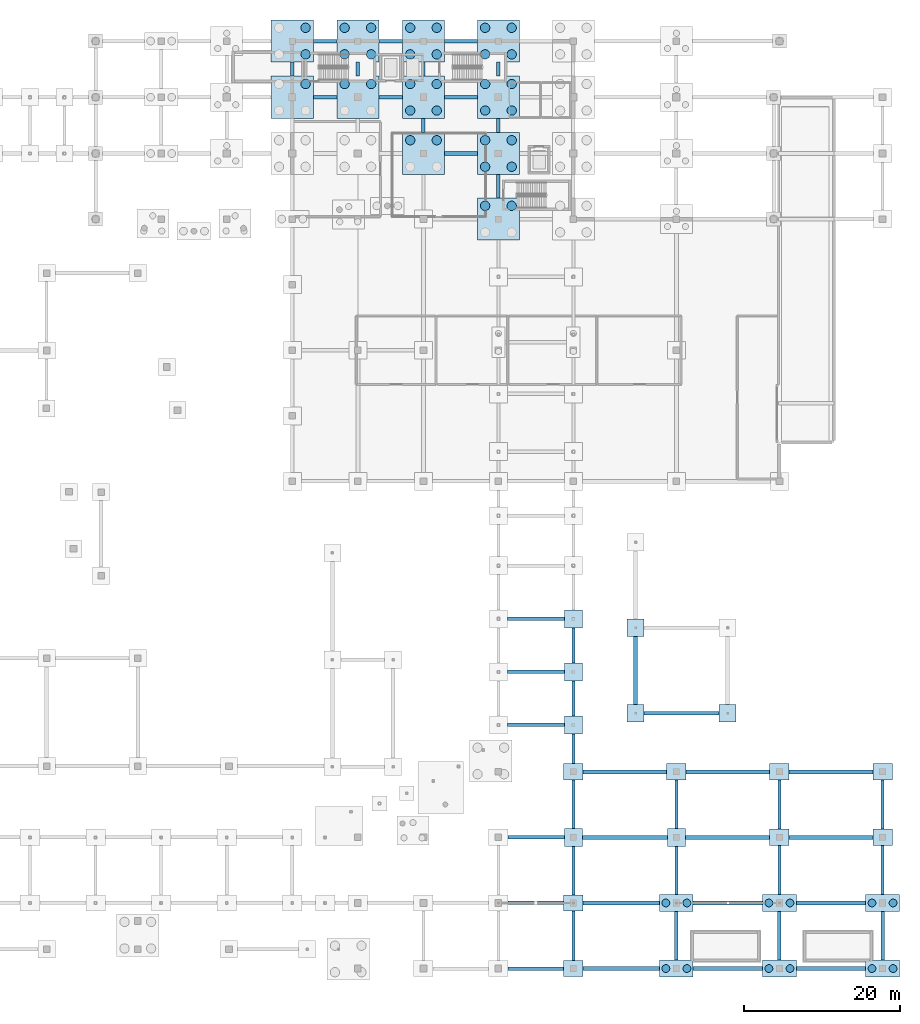
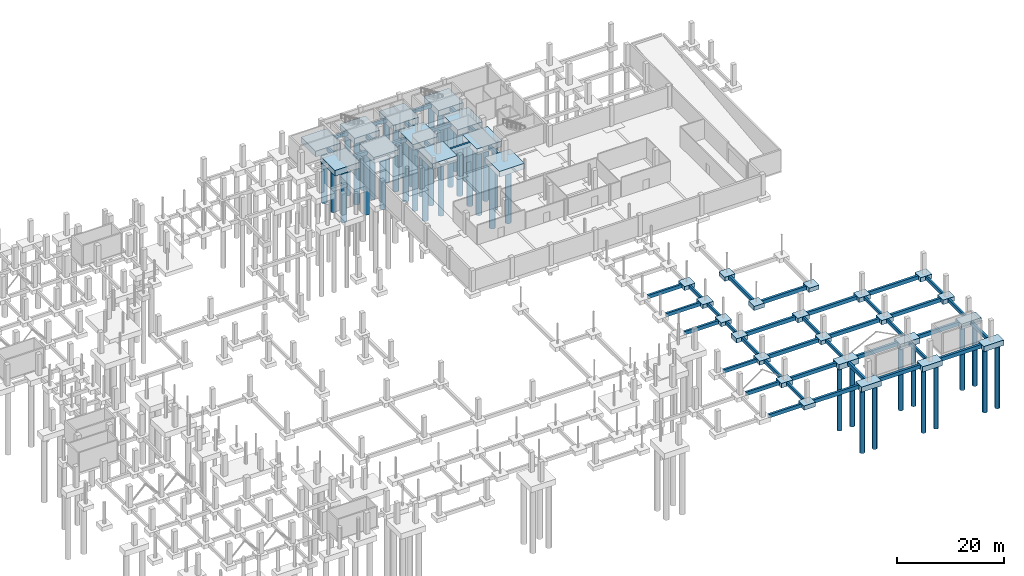
# One storey, part 6 of 44: 82 footings, 45 piles.
"""IFC4 building model written with IfcOpenShell, lengths in metres."""

from ifc_helpers import new_model, si_unit, direction, frame, origin, origin_2d, place, context, subcontext, project, spatial, rectangle, circle, extrude, material, material_profile, profile_set, type_object, element, save


model = new_model("IFC4")

# Units and contexts
model_context = context("Model", 3, precision=1e-05, world=origin(), true_north=direction((0.0, 1.0)))
body_context = subcontext(model_context, "Body", "Model", "MODEL_VIEW")
ifc_project = project(units=[si_unit("LENGTHUNIT", "METRE"), si_unit("AREAUNIT", "SQUARE_METRE"), si_unit("VOLUMEUNIT", "CUBIC_METRE"), si_unit("PLANEANGLEUNIT", "RADIAN"), si_unit("MASSUNIT", "GRAM", prefix="KILO")], contexts=[model_context])

# Site, building, storey
site_placement = place(None, origin())
site = spatial("IfcSite", under=ifc_project, at=site_placement, CompositionType="ELEMENT")
building_placement = place(site_placement, origin())
building = spatial("IfcBuilding", under=site, at=building_placement, Name="Kisaragi Civic Commons", CompositionType="ELEMENT")
storey_placement = place(building_placement, frame((0.0, 0.0, -4.800048828125)))
storey = spatial("IfcBuildingStorey", under=building, at=storey_placement, Name="B1", CompositionType="ELEMENT", Elevation=-4.800048828125)

# Footings
ifc_material_1 = material(Name="Concrete Fc27", Category="concrete")
ifc_material_profile_1 = material_profile(ifc_material_1, rectangle(XDim=0.5, YDim=0.85009765625, at=origin_2d()), Name="RC-500x850", Category="concrete")
ifc_profile_set_1 = profile_set([ifc_material_profile_1], Name="Concrete Fc27")
footing_type_1 = type_object("IfcFootingType", Name="FB-01", PredefinedType="FOOTING_BEAM", material=ifc_profile_set_1)
footing_1_placement = place(storey_placement, frame((134.449951171875, 0.0, -0.425048828125), z_axis=(1.0, 0.0, 0.0), x_axis=(0.0, 1.0, 0.0)))
element("IfcFooting", 1, at=footing_1_placement, inside=storey, type_object=footing_type_1, Name="Foundation tie beam FB-01 X3", PredefinedType="FOOTING_BEAM", context=body_context, shape_type="SweptSolid", body=[
    extrude(rectangle(XDim=0.5, YDim=0.85009765625, at=origin_2d()), origin(), (0.0, 0.0, 1.0), 9.800048828125),
])
for number, where, z_axis, x_axis, name in (
    (2, (148.550048828125, 0.0, -0.425048828125), (1.0, 0.0, 0.0), (0.0, 1.0, 0.0), "Foundation tie beam FB-01 X4"),
    (3, (161.75, 0.0, -0.425048828125), (1.0, 0.0, 0.0), (0.0, 1.0, 0.0), "Foundation tie beam FB-01 X5"),
):
    element("IfcFooting", number, at=place(storey_placement, frame(where, z_axis=z_axis, x_axis=x_axis)), inside=storey, type_object=footing_type_1, Name=name, PredefinedType="FOOTING_BEAM", context=body_context, shape_type="SweptSolid", body=[
        extrude(rectangle(XDim=0.5, YDim=0.85009765625, at=origin_2d()), origin(), (0.0, 0.0, 1.0), 8.89990234375),
    ])
footing_2_placement = place(storey_placement, frame((134.449951171875, 8.39990234375, -0.425048828125), z_axis=(1.0, 0.0, 0.0), x_axis=(0.0, 1.0, 0.0)))
element("IfcFooting", 4, at=footing_2_placement, inside=storey, type_object=footing_type_1, Name="Foundation tie beam FB-01 X24", PredefinedType="FOOTING_BEAM", context=body_context, shape_type="SweptSolid", body=[
    extrude(rectangle(XDim=0.5, YDim=0.85009765625, at=origin_2d()), origin(), (0.0, 0.0, 1.0), 9.800048828125),
])
for number, where, z_axis, x_axis, name in (
    (5, (148.550048828125, 8.39990234375, -0.425048828125), (1.0, 0.0, 0.0), (0.0, 1.0, 0.0), "Foundation tie beam FB-01 X25"),
    (6, (161.75, 8.39990234375, -0.425048828125), (1.0, 0.0, 0.0), (0.0, 1.0, 0.0), "Foundation tie beam FB-01 X26"),
):
    element("IfcFooting", number, at=place(storey_placement, frame(where, z_axis=z_axis, x_axis=x_axis)), inside=storey, type_object=footing_type_1, Name=name, PredefinedType="FOOTING_BEAM", context=body_context, shape_type="SweptSolid", body=[
        extrude(rectangle(XDim=0.5, YDim=0.85009765625, at=origin_2d()), origin(), (0.0, 0.0, 1.0), 8.89990234375),
    ])
footing_3_placement = place(storey_placement, frame((134.35009765625, 16.800048828125, -0.425048828125), z_axis=(1.0, 0.0, 0.0), x_axis=(0.0, 1.0, 0.0)))
element("IfcFooting", 7, at=footing_3_placement, inside=storey, type_object=footing_type_1, Name="Foundation tie beam FB-01 X38", PredefinedType="FOOTING_BEAM", context=body_context, shape_type="SweptSolid", body=[
    extrude(rectangle(XDim=0.5, YDim=0.85009765625, at=origin_2d()), origin(), (0.0, 0.0, 1.0), 10.89990234375),
])
footing_4_placement = place(storey_placement, frame((147.550048828125, 16.800048828125, -0.425048828125), z_axis=(1.0, 0.0, 0.0), x_axis=(0.0, 1.0, 0.0)))
element("IfcFooting", 8, at=footing_4_placement, inside=storey, type_object=footing_type_1, Name="Foundation tie beam FB-01 X39", PredefinedType="FOOTING_BEAM", context=body_context, shape_type="SweptSolid", body=[
    extrude(rectangle(XDim=0.5, YDim=0.85009765625, at=origin_2d()), origin(), (0.0, 0.0, 1.0), 10.800048828125),
])
for number, where, z_axis, x_axis, name in (
    (9, (160.85009765625, 16.800048828125, -0.425048828125), (1.0, 0.0, 0.0), (0.0, 1.0, 0.0), "Foundation tie beam FB-01 X40"),
    (10, (134.449951171875, 25.199951171875, -0.425048828125), (1.0, 0.0, 0.0), (0.0, 1.0, 0.0), "Foundation tie beam FB-01 X45"),
):
    element("IfcFooting", number, at=place(storey_placement, frame(where, z_axis=z_axis, x_axis=x_axis)), inside=storey, type_object=footing_type_1, Name=name, PredefinedType="FOOTING_BEAM", context=body_context, shape_type="SweptSolid", body=[
        extrude(rectangle(XDim=0.5, YDim=0.85009765625, at=origin_2d()), origin(), (0.0, 0.0, 1.0), 10.699951171875),
    ])
footing_5_placement = place(storey_placement, frame((147.64990234375, 25.199951171875, -0.425048828125), z_axis=(1.0, 0.0, 0.0), x_axis=(0.0, 1.0, 0.0)))
element("IfcFooting", 11, at=footing_5_placement, inside=storey, type_object=footing_type_1, Name="Foundation tie beam FB-01 X46", PredefinedType="FOOTING_BEAM", context=body_context, shape_type="SweptSolid", body=[
    extrude(rectangle(XDim=0.5, YDim=0.85009765625, at=origin_2d()), origin(), (0.0, 0.0, 1.0), 10.7001953125),
])
footing_6_placement = place(storey_placement, frame((160.85009765625, 25.199951171875, -0.425048828125), z_axis=(1.0, 0.0, 0.0), x_axis=(0.0, 1.0, 0.0)))
element("IfcFooting", 12, at=footing_6_placement, inside=storey, type_object=footing_type_1, Name="Foundation tie beam FB-01 X47", PredefinedType="FOOTING_BEAM", context=body_context, shape_type="SweptSolid", body=[
    extrude(rectangle(XDim=0.5, YDim=0.85009765625, at=origin_2d()), origin(), (0.0, 0.0, 1.0), 10.699951171875),
])
footing_7_placement = place(storey_placement, frame((142.27392578125, 32.7060546875, -0.425048828125), z_axis=(1.0, 0.0, 0.0), x_axis=(0.0, 1.0, 0.0)))
element("IfcFooting", 13, at=footing_7_placement, inside=storey, type_object=footing_type_1, Name="Foundation tie beam FB-01 X54", PredefinedType="FOOTING_BEAM", context=body_context, shape_type="SweptSolid", body=[
    extrude(rectangle(XDim=0.5, YDim=0.85009765625, at=origin_2d()), origin(), (0.0, 0.0, 1.0), 9.576171875),
])
footing_8_placement = place(storey_placement, frame((141.174072265625, 33.805908203125, -0.425048828125), z_axis=(0.0, 1.0, 0.0), x_axis=(-1.0, 0.0, 0.0)))
element("IfcFooting", 14, at=footing_8_placement, inside=storey, type_object=footing_type_1, Name="Foundation tie beam FB-01 Y285", PredefinedType="FOOTING_BEAM", context=body_context, shape_type="SweptSolid", body=[
    extrude(rectangle(XDim=0.5, YDim=0.85009765625, at=origin_2d()), origin(), (0.0, 0.0, 1.0), 8.744140625),
])
ifc_material_profile_2 = material_profile(ifc_material_1, rectangle(XDim=0.449951171875, YDim=0.800048828125, at=origin_2d()), Name="RC-450x800", Category="concrete")
ifc_profile_set_2 = profile_set([ifc_material_profile_2], Name="Concrete Fc27")
footing_type_2 = type_object("IfcFootingType", Name="FB-02", PredefinedType="FOOTING_BEAM", material=ifc_profile_set_2)
for number, where, z_axis, x_axis, name in (
    (15, (124.85009765625, 0.0, -0.39990234375), (1.0, 0.0, 0.0), (0.0, 1.0, 0.0), "Foundation tie beam FB-02 X2"),
    (16, (124.85009765625, 8.39990234375, -0.39990234375), (1.0, 0.0, 0.0), (0.0, 1.0, 0.0), "Foundation tie beam FB-02 X23"),
):
    element("IfcFooting", number, at=place(storey_placement, frame(where, z_axis=z_axis, x_axis=x_axis)), inside=storey, type_object=footing_type_2, Name=name, PredefinedType="FOOTING_BEAM", context=body_context, shape_type="SweptSolid", body=[
        extrude(rectangle(XDim=0.449951171875, YDim=0.800048828125, at=origin_2d()), origin(), (0.0, 0.0, 1.0), 7.099853515625),
    ])
footing_9_placement = place(storey_placement, frame((124.85009765625, 16.800048828125, -0.39990234375), z_axis=(1.0, 0.0, 0.0), x_axis=(0.0, 1.0, 0.0)))
element("IfcFooting", 17, at=footing_9_placement, inside=storey, type_object=footing_type_2, Name="Foundation tie beam FB-02 X37", PredefinedType="FOOTING_BEAM", context=body_context, shape_type="SweptSolid", body=[
    extrude(rectangle(XDim=0.449951171875, YDim=0.800048828125, at=origin_2d()), origin(), (0.0, 0.0, 1.0), 7.199951171875),
])
for number, where, z_axis, x_axis, name in (
    (18, (124.75, 31.199951171875, -0.39990234375), (1.0, 0.0, 0.0), (0.0, 1.0, 0.0), "Foundation tie beam FB-02 X53"),
    (19, (124.75, 38.0, -0.39990234375), (1.0, 0.0, 0.0), (0.0, 1.0, 0.0), "Foundation tie beam FB-02 X57"),
    (20, (124.75, 44.800048828125, -0.39990234375), (1.0, 0.0, 0.0), (0.0, 1.0, 0.0), "Foundation tie beam FB-02 X65"),
):
    element("IfcFooting", number, at=place(storey_placement, frame(where, z_axis=z_axis, x_axis=x_axis)), inside=storey, type_object=footing_type_2, Name=name, PredefinedType="FOOTING_BEAM", context=body_context, shape_type="SweptSolid", body=[
        extrude(rectangle(XDim=0.449951171875, YDim=0.800048828125, at=origin_2d()), origin(), (0.0, 0.0, 1.0), 7.300048828125),
    ])
footing_10_placement = place(storey_placement, frame((116.699951171875, 104.39990234375, -0.39990234375), z_axis=(1.0, 0.0, 0.0), x_axis=(0.0, 1.0, 0.0)))
element("IfcFooting", 21, at=footing_10_placement, inside=storey, type_object=footing_type_2, Name="Foundation tie beam FB-02 X123", PredefinedType="FOOTING_BEAM", context=body_context, shape_type="SweptSolid", body=[
    extrude(rectangle(XDim=0.449951171875, YDim=0.800048828125, at=origin_2d()), origin(), (0.0, 0.0, 1.0), 4.199951171875),
])
for number, where, z_axis, x_axis, name in (
    (22, (99.89990234375, 111.60009765625, -0.39990234375), (1.0, 0.0, 0.0), (0.0, 1.0, 0.0), "Foundation tie beam FB-02 X138"),
    (23, (108.300048828125, 111.60009765625, -0.39990234375), (1.0, 0.0, 0.0), (0.0, 1.0, 0.0), "Foundation tie beam FB-02 X139"),
):
    element("IfcFooting", number, at=place(storey_placement, frame(where, z_axis=z_axis, x_axis=x_axis)), inside=storey, type_object=footing_type_2, Name=name, PredefinedType="FOOTING_BEAM", context=body_context, shape_type="SweptSolid", body=[
        extrude(rectangle(XDim=0.449951171875, YDim=0.800048828125, at=origin_2d()), origin(), (0.0, 0.0, 1.0), 3.0),
    ])
footing_11_placement = place(storey_placement, frame((116.699951171875, 111.60009765625, -0.39990234375), z_axis=(1.0, 0.0, 0.0), x_axis=(0.0, 1.0, 0.0)))
element("IfcFooting", 24, at=footing_11_placement, inside=storey, type_object=footing_type_2, Name="Foundation tie beam FB-02 X140", PredefinedType="FOOTING_BEAM", context=body_context, shape_type="SweptSolid", body=[
    extrude(rectangle(XDim=0.449951171875, YDim=0.800048828125, at=origin_2d()), origin(), (0.0, 0.0, 1.0), 4.199951171875),
])
for number, where, z_axis, x_axis, name in (
    (25, (99.89990234375, 118.800048828125, -0.39990234375), (1.0, 0.0, 0.0), (0.0, 1.0, 0.0), "Foundation tie beam FB-02 X149"),
    (26, (108.300048828125, 118.800048828125, -0.39990234375), (1.0, 0.0, 0.0), (0.0, 1.0, 0.0), "Foundation tie beam FB-02 X150"),
):
    element("IfcFooting", number, at=place(storey_placement, frame(where, z_axis=z_axis, x_axis=x_axis)), inside=storey, type_object=footing_type_2, Name=name, PredefinedType="FOOTING_BEAM", context=body_context, shape_type="SweptSolid", body=[
        extrude(rectangle(XDim=0.449951171875, YDim=0.800048828125, at=origin_2d()), origin(), (0.0, 0.0, 1.0), 3.0),
    ])
footing_12_placement = place(storey_placement, frame((116.699951171875, 118.800048828125, -0.39990234375), z_axis=(1.0, 0.0, 0.0), x_axis=(0.0, 1.0, 0.0)))
element("IfcFooting", 27, at=footing_12_placement, inside=storey, type_object=footing_type_2, Name="Foundation tie beam FB-02 X151", PredefinedType="FOOTING_BEAM", context=body_context, shape_type="SweptSolid", body=[
    extrude(rectangle(XDim=0.449951171875, YDim=0.800048828125, at=origin_2d()), origin(), (0.0, 0.0, 1.0), 4.199951171875),
])
for number, where, z_axis, x_axis, name in (
    (28, (97.199951171875, 114.300048828125, -0.39990234375), (0.0, 1.0, 0.0), (-1.0, 0.0, 0.0), "Foundation tie beam FB-02 Y240"),
    (29, (105.60009765625, 114.300048828125, -0.39990234375), (0.0, 1.0, 0.0), (-1.0, 0.0, 0.0), "Foundation tie beam FB-02 Y245"),
):
    element("IfcFooting", number, at=place(storey_placement, frame(where, z_axis=z_axis, x_axis=x_axis)), inside=storey, type_object=footing_type_2, Name=name, PredefinedType="FOOTING_BEAM", context=body_context, shape_type="SweptSolid", body=[
        extrude(rectangle(XDim=0.449951171875, YDim=0.800048828125, at=origin_2d()), origin(), (0.0, 0.0, 1.0), 1.800048828125),
    ])
footing_13_placement = place(storey_placement, frame((114.0, 107.10009765625, -0.39990234375), z_axis=(0.0, 1.0, 0.0), x_axis=(-1.0, 0.0, 0.0)))
element("IfcFooting", 30, at=footing_13_placement, inside=storey, type_object=footing_type_2, Name="Foundation tie beam FB-02 Y251", PredefinedType="FOOTING_BEAM", context=body_context, shape_type="SweptSolid", body=[
    extrude(rectangle(XDim=0.449951171875, YDim=0.800048828125, at=origin_2d()), origin(), (0.0, 0.0, 1.0), 1.7998046875),
])
footing_14_placement = place(storey_placement, frame((114.0, 114.300048828125, -0.39990234375), z_axis=(0.0, 1.0, 0.0), x_axis=(-1.0, 0.0, 0.0)))
element("IfcFooting", 31, at=footing_14_placement, inside=storey, type_object=footing_type_2, Name="Foundation tie beam FB-02 Y252", PredefinedType="FOOTING_BEAM", context=body_context, shape_type="SweptSolid", body=[
    extrude(rectangle(XDim=0.449951171875, YDim=0.800048828125, at=origin_2d()), origin(), (0.0, 0.0, 1.0), 1.800048828125),
])
footing_15_placement = place(storey_placement, frame((123.60009765625, 98.699951171875, -0.39990234375), z_axis=(0.0, 1.0, 0.0), x_axis=(-1.0, 0.0, 0.0)))
element("IfcFooting", 32, at=footing_15_placement, inside=storey, type_object=footing_type_2, Name="Foundation tie beam FB-02 Y265", PredefinedType="FOOTING_BEAM", context=body_context, shape_type="SweptSolid", body=[
    extrude(rectangle(XDim=0.449951171875, YDim=0.800048828125, at=origin_2d()), origin(), (0.0, 0.0, 1.0), 3.0),
])
footing_16_placement = place(storey_placement, frame((123.60009765625, 107.10009765625, -0.39990234375), z_axis=(0.0, 1.0, 0.0), x_axis=(-1.0, 0.0, 0.0)))
element("IfcFooting", 33, at=footing_16_placement, inside=storey, type_object=footing_type_2, Name="Foundation tie beam FB-02 Y266", PredefinedType="FOOTING_BEAM", context=body_context, shape_type="SweptSolid", body=[
    extrude(rectangle(XDim=0.449951171875, YDim=0.800048828125, at=origin_2d()), origin(), (0.0, 0.0, 1.0), 1.7998046875),
])
footing_17_placement = place(storey_placement, frame((123.60009765625, 114.300048828125, -0.39990234375), z_axis=(0.0, 1.0, 0.0), x_axis=(-1.0, 0.0, 0.0)))
element("IfcFooting", 34, at=footing_17_placement, inside=storey, type_object=footing_type_2, Name="Foundation tie beam FB-02 Y267", PredefinedType="FOOTING_BEAM", context=body_context, shape_type="SweptSolid", body=[
    extrude(rectangle(XDim=0.449951171875, YDim=0.800048828125, at=origin_2d()), origin(), (0.0, 0.0, 1.0), 1.800048828125),
])
for number, where, z_axis, x_axis, name in (
    (35, (146.39990234375, 1.10009765625, -0.39990234375), (0.0, 1.0, 0.0), (-1.0, 0.0, 0.0), "Foundation tie beam FB-02 Y287"),
    (36, (159.60009765625, 1.10009765625, -0.39990234375), (0.0, 1.0, 0.0), (-1.0, 0.0, 0.0), "Foundation tie beam FB-02 Y298"),
    (37, (172.800048828125, 1.10009765625, -0.39990234375), (0.0, 1.0, 0.0), (-1.0, 0.0, 0.0), "Foundation tie beam FB-02 Y301"),
):
    element("IfcFooting", number, at=place(storey_placement, frame(where, z_axis=z_axis, x_axis=x_axis)), inside=storey, type_object=footing_type_2, Name=name, PredefinedType="FOOTING_BEAM", context=body_context, shape_type="SweptSolid", body=[
        extrude(rectangle(XDim=0.449951171875, YDim=0.800048828125, at=origin_2d()), origin(), (0.0, 0.0, 1.0), 6.199951171875),
    ])
ifc_material_profile_3 = material_profile(ifc_material_1, rectangle(XDim=0.39990234375, YDim=0.75, at=origin_2d()), Name="RC-400x750", Category="concrete")
ifc_profile_set_3 = profile_set([ifc_material_profile_3], Name="Concrete Fc27")
footing_type_3 = type_object("IfcFootingType", Name="FB-03", PredefinedType="FOOTING_BEAM", material=ifc_profile_set_3)
footing_18_placement = place(storey_placement, frame((133.199951171875, 1.050048828125, -0.375), z_axis=(0.0, 1.0, 0.0), x_axis=(-1.0, 0.0, 0.0)))
element("IfcFooting", 38, at=footing_18_placement, inside=storey, type_object=footing_type_3, Name="Foundation tie beam FB-03 Y268", PredefinedType="FOOTING_BEAM", context=body_context, shape_type="SweptSolid", body=[
    extrude(rectangle(XDim=0.39990234375, YDim=0.75, at=origin_2d()), origin(), (0.0, 0.0, 1.0), 6.300048828125),
])
for number, where, z_axis, x_axis, name in (
    (39, (133.199951171875, 9.449951171875, -0.375), (0.0, 1.0, 0.0), (-1.0, 0.0, 0.0), "Foundation tie beam FB-03 Y269"),
    (40, (133.199951171875, 17.949951171875, -0.375), (0.0, 1.0, 0.0), (-1.0, 0.0, 0.0), "Foundation tie beam FB-03 Y270"),
):
    element("IfcFooting", number, at=place(storey_placement, frame(where, z_axis=z_axis, x_axis=x_axis)), inside=storey, type_object=footing_type_3, Name=name, PredefinedType="FOOTING_BEAM", context=body_context, shape_type="SweptSolid", body=[
        extrude(rectangle(XDim=0.39990234375, YDim=0.75, at=origin_2d()), origin(), (0.0, 0.0, 1.0), 6.199951171875),
    ])
footing_19_placement = place(storey_placement, frame((133.199951171875, 26.25, -0.375), z_axis=(0.0, 1.0, 0.0), x_axis=(-1.0, 0.0, 0.0)))
element("IfcFooting", 41, at=footing_19_placement, inside=storey, type_object=footing_type_3, Name="Foundation tie beam FB-03 Y271", PredefinedType="FOOTING_BEAM", context=body_context, shape_type="SweptSolid", body=[
    extrude(rectangle(XDim=0.39990234375, YDim=0.75, at=origin_2d()), origin(), (0.0, 0.0, 1.0), 3.800048828125),
])
for number, where, z_axis, x_axis, name in (
    (42, (133.199951171875, 32.35009765625, -0.375), (0.0, 1.0, 0.0), (-1.0, 0.0, 0.0), "Foundation tie beam FB-03 Y272"),
    (43, (133.199951171875, 39.14990234375, -0.375), (0.0, 1.0, 0.0), (-1.0, 0.0, 0.0), "Foundation tie beam FB-03 Y273"),
):
    element("IfcFooting", number, at=place(storey_placement, frame(where, z_axis=z_axis, x_axis=x_axis)), inside=storey, type_object=footing_type_3, Name=name, PredefinedType="FOOTING_BEAM", context=body_context, shape_type="SweptSolid", body=[
        extrude(rectangle(XDim=0.39990234375, YDim=0.75, at=origin_2d()), origin(), (0.0, 0.0, 1.0), 4.5),
    ])
footing_20_placement = place(storey_placement, frame((146.39990234375, 9.5, -0.375), z_axis=(0.0, 1.0, 0.0), x_axis=(-1.0, 0.0, 0.0)))
element("IfcFooting", 44, at=footing_20_placement, inside=storey, type_object=footing_type_3, Name="Foundation tie beam FB-03 Y288", PredefinedType="FOOTING_BEAM", context=body_context, shape_type="SweptSolid", body=[
    extrude(rectangle(XDim=0.39990234375, YDim=0.75, at=origin_2d()), origin(), (0.0, 0.0, 1.0), 6.14990234375),
])
footing_21_placement = place(storey_placement, frame((146.39990234375, 17.949951171875, -0.375), z_axis=(0.0, 1.0, 0.0), x_axis=(-1.0, 0.0, 0.0)))
element("IfcFooting", 45, at=footing_21_placement, inside=storey, type_object=footing_type_3, Name="Foundation tie beam FB-03 Y289", PredefinedType="FOOTING_BEAM", context=body_context, shape_type="SweptSolid", body=[
    extrude(rectangle(XDim=0.39990234375, YDim=0.75, at=origin_2d()), origin(), (0.0, 0.0, 1.0), 6.199951171875),
])
footing_22_placement = place(storey_placement, frame((159.60009765625, 9.5, -0.375), z_axis=(0.0, 1.0, 0.0), x_axis=(-1.0, 0.0, 0.0)))
element("IfcFooting", 46, at=footing_22_placement, inside=storey, type_object=footing_type_3, Name="Foundation tie beam FB-03 Y299", PredefinedType="FOOTING_BEAM", context=body_context, shape_type="SweptSolid", body=[
    extrude(rectangle(XDim=0.39990234375, YDim=0.75, at=origin_2d()), origin(), (0.0, 0.0, 1.0), 6.25),
])
footing_23_placement = place(storey_placement, frame((159.60009765625, 17.85009765625, -0.375), z_axis=(0.0, 1.0, 0.0), x_axis=(-1.0, 0.0, 0.0)))
element("IfcFooting", 47, at=footing_23_placement, inside=storey, type_object=footing_type_3, Name="Foundation tie beam FB-03 Y300", PredefinedType="FOOTING_BEAM", context=body_context, shape_type="SweptSolid", body=[
    extrude(rectangle(XDim=0.39990234375, YDim=0.75, at=origin_2d()), origin(), (0.0, 0.0, 1.0), 6.2998046875),
])
footing_24_placement = place(storey_placement, frame((172.800048828125, 9.5, -0.375), z_axis=(0.0, 1.0, 0.0), x_axis=(-1.0, 0.0, 0.0)))
element("IfcFooting", 48, at=footing_24_placement, inside=storey, type_object=footing_type_3, Name="Foundation tie beam FB-03 Y302", PredefinedType="FOOTING_BEAM", context=body_context, shape_type="SweptSolid", body=[
    extrude(rectangle(XDim=0.39990234375, YDim=0.75, at=origin_2d()), origin(), (0.0, 0.0, 1.0), 6.25),
])
footing_25_placement = place(storey_placement, frame((172.800048828125, 17.85009765625, -0.375), z_axis=(0.0, 1.0, 0.0), x_axis=(-1.0, 0.0, 0.0)))
element("IfcFooting", 49, at=footing_25_placement, inside=storey, type_object=footing_type_3, Name="Foundation tie beam FB-03 Y303", PredefinedType="FOOTING_BEAM", context=body_context, shape_type="SweptSolid", body=[
    extrude(rectangle(XDim=0.39990234375, YDim=0.75, at=origin_2d()), origin(), (0.0, 0.0, 1.0), 6.2998046875),
])

# Piles
ifc_material_profile_4 = material_profile(ifc_material_1, circle(Radius=0.5, at=origin_2d()), Name="PILE-D1000", Category="concrete")
ifc_profile_set_4 = profile_set([ifc_material_profile_4], Name="Concrete Fc27")
pile_type_1 = type_object("IfcPileType", Name="P-10", PredefinedType="BORED", material=ifc_profile_set_4)
for number, where, z_axis, x_axis, name in (
    (50, (145.050048828125, 0.0, -1.099853515625), (0.0, 0.0, -1.0), (1.0, 0.0, 0.0), "Bored pile P-10 247.1"),
    (51, (147.75, 0.0, -1.099853515625), (0.0, 0.0, -1.0), (1.0, 0.0, 0.0), "Bored pile P-10 247.2"),
    (52, (145.050048828125, 8.39990234375, -1.099853515625), (0.0, 0.0, -1.0), (1.0, 0.0, 0.0), "Bored pile P-10 248.1"),
    (53, (147.75, 8.39990234375, -1.099853515625), (0.0, 0.0, -1.0), (1.0, 0.0, 0.0), "Bored pile P-10 248.2"),
    (54, (158.25, 0.0, -1.099853515625), (0.0, 0.0, -1.0), (1.0, 0.0, 0.0), "Bored pile P-10 262.1"),
    (55, (160.949951171875, 0.0, -1.099853515625), (0.0, 0.0, -1.0), (1.0, 0.0, 0.0), "Bored pile P-10 262.2"),
    (56, (158.25, 8.39990234375, -1.099853515625), (0.0, 0.0, -1.0), (1.0, 0.0, 0.0), "Bored pile P-10 263.1"),
    (57, (160.949951171875, 8.39990234375, -1.099853515625), (0.0, 0.0, -1.0), (1.0, 0.0, 0.0), "Bored pile P-10 263.2"),
    (58, (171.449951171875, 0.0, -1.099853515625), (0.0, 0.0, -1.0), (1.0, 0.0, 0.0), "Bored pile P-10 268.1"),
    (59, (174.14990234375, 0.0, -1.099853515625), (0.0, 0.0, -1.0), (1.0, 0.0, 0.0), "Bored pile P-10 268.2"),
    (60, (171.449951171875, 8.39990234375, -1.099853515625), (0.0, 0.0, -1.0), (1.0, 0.0, 0.0), "Bored pile P-10 269.1"),
    (61, (174.14990234375, 8.39990234375, -1.099853515625), (0.0, 0.0, -1.0), (1.0, 0.0, 0.0), "Bored pile P-10 269.2"),
):
    element("IfcPile", number, at=place(storey_placement, frame(where, z_axis=z_axis, x_axis=x_axis)), inside=storey, type_object=pile_type_1, Name=name, PredefinedType="BORED", context=body_context, shape_type="SweptSolid", body=[
        extrude(circle(Radius=0.5, at=origin_2d()), origin(), (0.0, 0.0, 1.0), 14.60009765625),
    ])
ifc_material_profile_5 = material_profile(ifc_material_1, circle(Radius=0.60009765625, at=origin_2d()), Name="PILE-D1200", Category="concrete")
ifc_profile_set_5 = profile_set([ifc_material_profile_5], Name="Concrete Fc27")
pile_type_2 = type_object("IfcPileType", Name="P-12", PredefinedType="BORED", material=ifc_profile_set_5)
for number, where, z_axis, x_axis, name in (
    (62, (98.89990234375, 113.300048828125, -1.099853515625), (0.0, 0.0, -1.0), (1.0, 0.0, 0.0), "Bored pile P-12 177.4"),
    (63, (98.89990234375, 117.10009765625, -1.099853515625), (0.0, 0.0, -1.0), (1.0, 0.0, 0.0), "Bored pile P-12 178.2"),
    (64, (98.89990234375, 120.5, -1.099853515625), (0.0, 0.0, -1.0), (1.0, 0.0, 0.0), "Bored pile P-12 178.4"),
    (65, (103.89990234375, 113.300048828125, -1.099853515625), (0.0, 0.0, -1.0), (1.0, 0.0, 0.0), "Bored pile P-12 191.3"),
    (66, (107.300048828125, 113.300048828125, -1.099853515625), (0.0, 0.0, -1.0), (1.0, 0.0, 0.0), "Bored pile P-12 191.4"),
    (67, (103.89990234375, 117.10009765625, -1.099853515625), (0.0, 0.0, -1.0), (1.0, 0.0, 0.0), "Bored pile P-12 192.1"),
    (68, (107.300048828125, 117.10009765625, -1.099853515625), (0.0, 0.0, -1.0), (1.0, 0.0, 0.0), "Bored pile P-12 192.2"),
    (69, (103.89990234375, 120.5, -1.099853515625), (0.0, 0.0, -1.0), (1.0, 0.0, 0.0), "Bored pile P-12 192.3"),
    (70, (107.300048828125, 120.5, -1.099853515625), (0.0, 0.0, -1.0), (1.0, 0.0, 0.0), "Bored pile P-12 192.4"),
    (71, (112.300048828125, 106.10009765625, -1.099853515625), (0.0, 0.0, -1.0), (1.0, 0.0, 0.0), "Bored pile P-12 204.3"),
    (72, (115.699951171875, 106.10009765625, -1.099853515625), (0.0, 0.0, -1.0), (1.0, 0.0, 0.0), "Bored pile P-12 204.4"),
    (73, (112.300048828125, 109.89990234375, -1.099853515625), (0.0, 0.0, -1.0), (1.0, 0.0, 0.0), "Bored pile P-12 205.1"),
    (74, (115.699951171875, 109.89990234375, -1.099853515625), (0.0, 0.0, -1.0), (1.0, 0.0, 0.0), "Bored pile P-12 205.2"),
    (75, (112.300048828125, 113.300048828125, -1.099853515625), (0.0, 0.0, -1.0), (1.0, 0.0, 0.0), "Bored pile P-12 205.3"),
    (76, (115.699951171875, 113.300048828125, -1.099853515625), (0.0, 0.0, -1.0), (1.0, 0.0, 0.0), "Bored pile P-12 205.4"),
    (77, (112.300048828125, 117.10009765625, -1.099853515625), (0.0, 0.0, -1.0), (1.0, 0.0, 0.0), "Bored pile P-12 206.1"),
    (78, (115.699951171875, 117.10009765625, -1.099853515625), (0.0, 0.0, -1.0), (1.0, 0.0, 0.0), "Bored pile P-12 206.2"),
    (79, (112.300048828125, 120.5, -1.099853515625), (0.0, 0.0, -1.0), (1.0, 0.0, 0.0), "Bored pile P-12 206.3"),
    (80, (115.699951171875, 120.5, -1.099853515625), (0.0, 0.0, -1.0), (1.0, 0.0, 0.0), "Bored pile P-12 206.4"),
    (81, (121.89990234375, 97.699951171875, -1.099853515625), (0.0, 0.0, -1.0), (1.0, 0.0, 0.0), "Bored pile P-12 222.3"),
    (82, (125.300048828125, 97.699951171875, -1.099853515625), (0.0, 0.0, -1.0), (1.0, 0.0, 0.0), "Bored pile P-12 222.4"),
    (83, (121.89990234375, 102.699951171875, -1.099853515625), (0.0, 0.0, -1.0), (1.0, 0.0, 0.0), "Bored pile P-12 223.1"),
    (84, (125.300048828125, 102.699951171875, -1.099853515625), (0.0, 0.0, -1.0), (1.0, 0.0, 0.0), "Bored pile P-12 223.2"),
    (85, (121.89990234375, 106.10009765625, -1.099853515625), (0.0, 0.0, -1.0), (1.0, 0.0, 0.0), "Bored pile P-12 223.3"),
    (86, (125.300048828125, 106.10009765625, -1.099853515625), (0.0, 0.0, -1.0), (1.0, 0.0, 0.0), "Bored pile P-12 223.4"),
    (87, (121.89990234375, 109.89990234375, -1.099853515625), (0.0, 0.0, -1.0), (1.0, 0.0, 0.0), "Bored pile P-12 224.1"),
    (88, (125.300048828125, 109.89990234375, -1.099853515625), (0.0, 0.0, -1.0), (1.0, 0.0, 0.0), "Bored pile P-12 224.2"),
    (89, (121.89990234375, 113.300048828125, -1.099853515625), (0.0, 0.0, -1.0), (1.0, 0.0, 0.0), "Bored pile P-12 224.3"),
    (90, (125.300048828125, 113.300048828125, -1.099853515625), (0.0, 0.0, -1.0), (1.0, 0.0, 0.0), "Bored pile P-12 224.4"),
    (91, (121.89990234375, 117.10009765625, -1.099853515625), (0.0, 0.0, -1.0), (1.0, 0.0, 0.0), "Bored pile P-12 225.1"),
    (92, (125.300048828125, 117.10009765625, -1.099853515625), (0.0, 0.0, -1.0), (1.0, 0.0, 0.0), "Bored pile P-12 225.2"),
    (93, (121.89990234375, 120.5, -1.099853515625), (0.0, 0.0, -1.0), (1.0, 0.0, 0.0), "Bored pile P-12 225.3"),
    (94, (125.300048828125, 120.5, -1.099853515625), (0.0, 0.0, -1.0), (1.0, 0.0, 0.0), "Bored pile P-12 225.4"),
):
    element("IfcPile", number, at=place(storey_placement, frame(where, z_axis=z_axis, x_axis=x_axis)), inside=storey, type_object=pile_type_2, Name=name, PredefinedType="BORED", context=body_context, shape_type="SweptSolid", body=[
        extrude(circle(Radius=0.60009765625, at=origin_2d()), origin(), (0.0, 0.0, 1.0), 14.60009765625),
    ])

# Footings
ifc_material_2 = material(Name="Concrete Fc36", Category="concrete")
footing_type_4 = type_object("IfcFootingType", Name="PC-4A", PredefinedType="PILE_CAP", material=ifc_material_2)
for number, where, z_axis, x_axis, name in (
    (95, (146.39990234375, 0.0, -1.19970703125), (0.0, 0.0, 1.0), (1.0, 0.0, 0.0), "Pile cap PC-4A 247"),
    (96, (146.39990234375, 8.39990234375, -1.19970703125), (0.0, 0.0, 1.0), (1.0, 0.0, 0.0), "Pile cap PC-4A 248"),
    (97, (159.60009765625, 0.0, -1.19970703125), (0.0, 0.0, 1.0), (1.0, 0.0, 0.0), "Pile cap PC-4A 262"),
    (98, (159.60009765625, 8.39990234375, -1.19970703125), (0.0, 0.0, 1.0), (1.0, 0.0, 0.0), "Pile cap PC-4A 263"),
    (99, (172.800048828125, 0.0, -1.19970703125), (0.0, 0.0, 1.0), (1.0, 0.0, 0.0), "Pile cap PC-4A 268"),
    (100, (172.800048828125, 8.39990234375, -1.19970703125), (0.0, 0.0, 1.0), (1.0, 0.0, 0.0), "Pile cap PC-4A 269"),
):
    element("IfcFooting", number, at=place(storey_placement, frame(where, z_axis=z_axis, x_axis=x_axis)), inside=storey, type_object=footing_type_4, Name=name, PredefinedType="PILE_CAP", context=body_context, shape_type="SweptSolid", body=[
        extrude(rectangle(XDim=4.300048828125, YDim=2.199951171875, at=origin_2d()), origin(), (0.0, 0.0, 1.0), 1.199951171875),
    ])
footing_type_5 = type_object("IfcFootingType", Name="PC-4C", PredefinedType="PILE_CAP", material=ifc_material_2)
for number, where, z_axis, x_axis, name in (
    (101, (97.199951171875, 111.60009765625, -1.2998046875), (0.0, 0.0, 1.0), (1.0, 0.0, 0.0), "Pile cap PC-4C 177"),
    (102, (97.199951171875, 118.800048828125, -1.2998046875), (0.0, 0.0, 1.0), (1.0, 0.0, 0.0), "Pile cap PC-4C 178"),
    (103, (105.60009765625, 111.60009765625, -1.2998046875), (0.0, 0.0, 1.0), (1.0, 0.0, 0.0), "Pile cap PC-4C 191"),
    (104, (105.60009765625, 118.800048828125, -1.2998046875), (0.0, 0.0, 1.0), (1.0, 0.0, 0.0), "Pile cap PC-4C 192"),
    (105, (114.0, 104.39990234375, -1.2998046875), (0.0, 0.0, 1.0), (1.0, 0.0, 0.0), "Pile cap PC-4C 204"),
    (106, (114.0, 111.60009765625, -1.2998046875), (0.0, 0.0, 1.0), (1.0, 0.0, 0.0), "Pile cap PC-4C 205"),
    (107, (114.0, 118.800048828125, -1.2998046875), (0.0, 0.0, 1.0), (1.0, 0.0, 0.0), "Pile cap PC-4C 206"),
    (108, (123.60009765625, 96.0, -1.2998046875), (0.0, 0.0, 1.0), (1.0, 0.0, 0.0), "Pile cap PC-4C 222"),
    (109, (123.60009765625, 104.39990234375, -1.2998046875), (0.0, 0.0, 1.0), (1.0, 0.0, 0.0), "Pile cap PC-4C 223"),
    (110, (123.60009765625, 111.60009765625, -1.2998046875), (0.0, 0.0, 1.0), (1.0, 0.0, 0.0), "Pile cap PC-4C 224"),
    (111, (123.60009765625, 118.800048828125, -1.2998046875), (0.0, 0.0, 1.0), (1.0, 0.0, 0.0), "Pile cap PC-4C 225"),
):
    element("IfcFooting", number, at=place(storey_placement, frame(where, z_axis=z_axis, x_axis=x_axis)), inside=storey, type_object=footing_type_5, Name=name, PredefinedType="PILE_CAP", context=body_context, shape_type="SweptSolid", body=[
        extrude(rectangle(XDim=5.39990234375, YDim=5.39990234375, at=origin_2d()), origin(), (0.0, 0.0, 1.0), 1.300048828125),
    ])
footing_type_6 = type_object("IfcFootingType", Name="PF-02", PredefinedType="PAD_FOOTING", material=ifc_material_2)
for number, where, z_axis, x_axis, name in (
    (112, (141.174072265625, 32.7060546875, -0.94970703125), (0.0, 0.0, 1.0), (1.0, 0.0, 0.0), "Pad footing PF-02 244"),
    (113, (141.174072265625, 43.64990234375, -0.94970703125), (0.0, 0.0, 1.0), (1.0, 0.0, 0.0), "Pad footing PF-02 245"),
    (114, (152.949951171875, 32.7060546875, -0.94970703125), (0.0, 0.0, 1.0), (1.0, 0.0, 0.0), "Pad footing PF-02 257"),
):
    element("IfcFooting", number, at=place(storey_placement, frame(where, z_axis=z_axis, x_axis=x_axis)), inside=storey, type_object=footing_type_6, Name=name, PredefinedType="PAD_FOOTING", context=body_context, shape_type="SweptSolid", body=[
        extrude(rectangle(XDim=2.199951171875, YDim=2.199951171875, at=origin_2d()), origin(), (0.0, 0.0, 1.0), 0.949951171875),
    ])
footing_type_7 = type_object("IfcFootingType", Name="PF-03", PredefinedType="PAD_FOOTING", material=ifc_material_2)
for number, where, z_axis, x_axis, name in (
    (115, (133.199951171875, 0.0, -1.0), (0.0, 0.0, 1.0), (1.0, 0.0, 0.0), "Pad footing PF-03 226"),
    (116, (133.199951171875, 8.39990234375, -1.0), (0.0, 0.0, 1.0), (1.0, 0.0, 0.0), "Pad footing PF-03 227"),
    (117, (133.199951171875, 25.199951171875, -1.0), (0.0, 0.0, 1.0), (1.0, 0.0, 0.0), "Pad footing PF-03 229"),
    (118, (146.39990234375, 25.199951171875, -1.0), (0.0, 0.0, 1.0), (1.0, 0.0, 0.0), "Pad footing PF-03 250"),
    (119, (159.60009765625, 16.800048828125, -1.0), (0.0, 0.0, 1.0), (1.0, 0.0, 0.0), "Pad footing PF-03 264"),
    (120, (159.60009765625, 25.199951171875, -1.0), (0.0, 0.0, 1.0), (1.0, 0.0, 0.0), "Pad footing PF-03 265"),
    (121, (172.800048828125, 16.800048828125, -1.0), (0.0, 0.0, 1.0), (1.0, 0.0, 0.0), "Pad footing PF-03 270"),
    (122, (172.800048828125, 25.199951171875, -1.0), (0.0, 0.0, 1.0), (1.0, 0.0, 0.0), "Pad footing PF-03 271"),
):
    element("IfcFooting", number, at=place(storey_placement, frame(where, z_axis=z_axis, x_axis=x_axis)), inside=storey, type_object=footing_type_7, Name=name, PredefinedType="PAD_FOOTING", context=body_context, shape_type="SweptSolid", body=[
        extrude(rectangle(XDim=2.5, YDim=2.10009765625, at=origin_2d()), origin(), (0.0, 0.0, 1.0), 1.0),
    ])
footing_type_8 = type_object("IfcFootingType", Name="PF-04", PredefinedType="PAD_FOOTING", material=ifc_material_2)
for number, where, z_axis, x_axis, name in (
    (123, (133.199951171875, 16.800048828125, -0.89990234375), (0.0, 0.0, 1.0), (1.0, 0.0, 0.0), "Pad footing PF-04 228"),
    (124, (133.199951171875, 31.199951171875, -0.89990234375), (0.0, 0.0, 1.0), (1.0, 0.0, 0.0), "Pad footing PF-04 230"),
    (125, (133.199951171875, 38.0, -0.89990234375), (0.0, 0.0, 1.0), (1.0, 0.0, 0.0), "Pad footing PF-04 231"),
    (126, (133.199951171875, 44.800048828125, -0.89990234375), (0.0, 0.0, 1.0), (1.0, 0.0, 0.0), "Pad footing PF-04 232"),
    (127, (146.39990234375, 16.800048828125, -0.89990234375), (0.0, 0.0, 1.0), (1.0, 0.0, 0.0), "Pad footing PF-04 249"),
):
    element("IfcFooting", number, at=place(storey_placement, frame(where, z_axis=z_axis, x_axis=x_axis)), inside=storey, type_object=footing_type_8, Name=name, PredefinedType="PAD_FOOTING", context=body_context, shape_type="SweptSolid", body=[
        extrude(rectangle(XDim=2.300048828125, YDim=2.300048828125, at=origin_2d()), origin(), (0.0, 0.0, 1.0), 0.89990234375),
    ])

save(model, "model.ifc")
